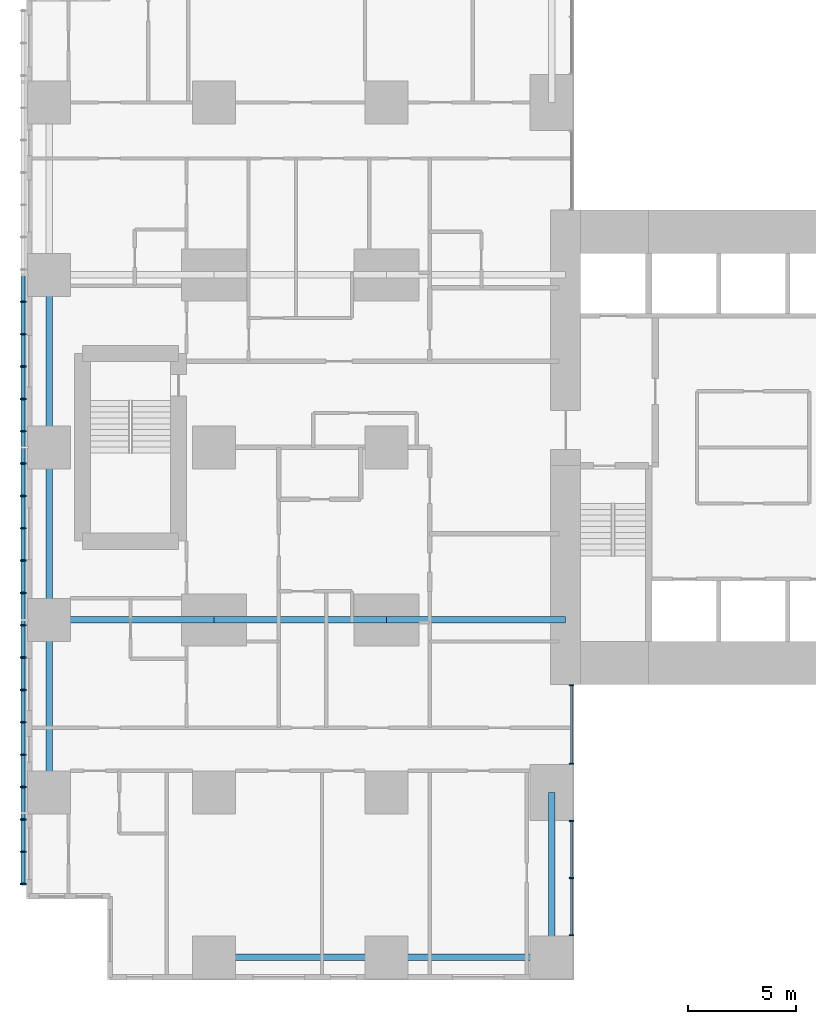
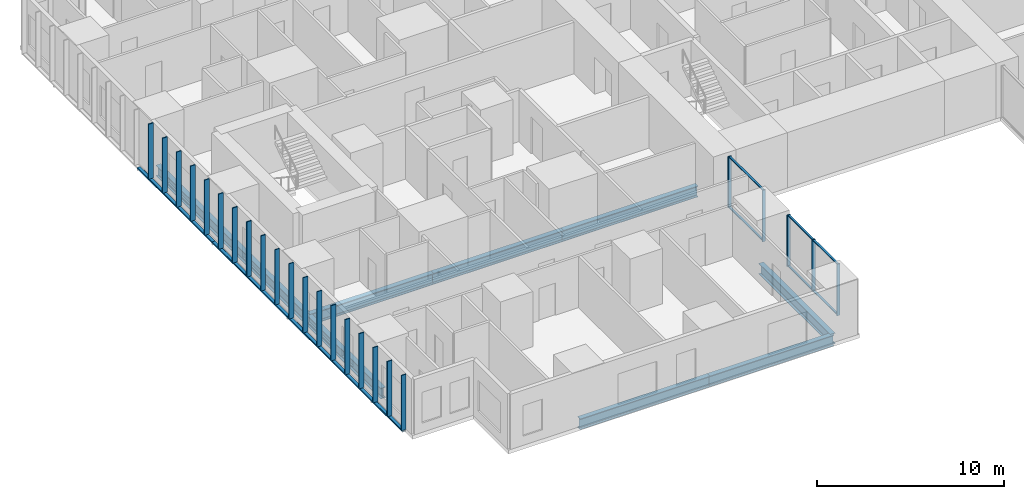
# One storey, part 2 of 20: 33 members, 9 beams, 2 elements without a shape of their own.
"""IFC4 building model written with IfcOpenShell, lengths in metres."""

from ifc_helpers import new_model, si_unit, direction, frame, origin, origin_2d, place, context, subcontext, project, spatial, rectangle, hollow_rectangle, i_section, extrude, material, layer, layer_set, material_profile, profile_set, type_object, element, aggregate, save


model = new_model("IFC4")

# Units and contexts
model_context = context("Model", 3, precision=1e-05, world=origin(), true_north=direction((0.0, 1.0)))
body_context = subcontext(model_context, "Body", "Model", "MODEL_VIEW")
ifc_project = project(units=[si_unit("LENGTHUNIT", "METRE"), si_unit("AREAUNIT", "SQUARE_METRE"), si_unit("VOLUMEUNIT", "CUBIC_METRE"), si_unit("PLANEANGLEUNIT", "RADIAN"), si_unit("MASSUNIT", "GRAM", prefix="KILO")], contexts=[model_context])

# Site, building, storey
site_placement = place(None, origin())
site = spatial("IfcSite", under=ifc_project, at=site_placement, CompositionType="ELEMENT")
building_placement = place(site_placement, origin())
building = spatial("IfcBuilding", under=site, at=building_placement, Name="Cleftline Residences", CompositionType="ELEMENT")
storey_placement = place(building_placement, frame((0.0, 0.0, 69.199951171875)))
storey = spatial("IfcBuildingStorey", under=building, at=storey_placement, Name="L17", CompositionType="ELEMENT", Elevation=69.199951171875)

# Members
ifc_material_1 = material(Name="Steel S355, hot-dip galvanised", Category="steel")
ifc_material_profile_1 = material_profile(ifc_material_1, hollow_rectangle(XDim=0.10009765625, YDim=0.199951171875, WallThickness=0.008056640625, InnerFilletRadius=0.008056640625, OuterFilletRadius=0.011962890625, at=origin_2d()))
ifc_profile_set_1 = profile_set([ifc_material_profile_1], Name="Steel S355, hot-dip galvanised")
member_type_1 = type_object("IfcMemberType", Name="BAGUETTE CARRIER RHS 200X100X8", PredefinedType="USERDEFINED", material=ifc_profile_set_1)
for number, where, z_axis, x_axis, name in (
    (1, (-0.85009765625, 32.0, -0.050048828125), (0.0, -1.0, 0.0), (0.0, 0.0, 1.0), "Baguette carrier"),
    (2, (-0.85009765625, 24.0, -0.050048828125), (0.0, -1.0, 0.0), (0.0, 0.0, 1.0), "Baguette carrier"),
):
    element("IfcMember", number, at=place(storey_placement, frame(where, z_axis=z_axis, x_axis=x_axis)), inside=storey, type_object=member_type_1, Name=name, ObjectType="BAGUETTE CARRIER", PredefinedType="USERDEFINED", context=body_context, shape_type="SweptSolid", body=[
        extrude(hollow_rectangle(XDim=0.10009765625, YDim=0.199951171875, WallThickness=0.008056640625, InnerFilletRadius=0.008056640625, OuterFilletRadius=0.011962890625, at=origin_2d()), origin(), (0.0, 0.0, 1.0), 8.0),
    ])
member_1_placement = place(storey_placement, frame((-0.85009765625, 16.0, -0.050048828125), z_axis=(0.0, -1.0, 0.0), x_axis=(0.0, 0.0, 1.0)))
element("IfcMember", 3, at=member_1_placement, inside=storey, type_object=member_type_1, Name="Baguette carrier", ObjectType="BAGUETTE CARRIER", PredefinedType="USERDEFINED", context=body_context, shape_type="SweptSolid", body=[
    extrude(hollow_rectangle(XDim=0.10009765625, YDim=0.199951171875, WallThickness=0.008056640625, InnerFilletRadius=0.008056640625, OuterFilletRadius=0.011962890625, at=origin_2d()), origin(), (0.0, 0.0, 1.0), 12.300048828125),
])

# Beams
ifc_material_2 = material(Name="Steel S355", Category="steel")
ifc_material_profile_2 = material_profile(ifc_material_2, i_section(OverallWidth=0.300048828125, OverallDepth=0.699951171875, WebThickness=0.01708984375, FlangeThickness=0.031982421875, FilletRadius=0.027099609375, at=origin_2d()))
ifc_profile_set_2 = profile_set([ifc_material_profile_2], Name="Steel S355")
beam_type_1 = type_object("IfcBeamType", Name="BEAM HEB 700", PredefinedType="BEAM", material=ifc_profile_set_2)
for number, where, z_axis, x_axis, name in (
    (4, (0.35009765625, 8.0, -0.599853515625), (0.0, 1.0, 0.0), (-1.0, 0.0, 0.0), "Edge beam"),
    (5, (0.35009765625, 16.0, -0.599853515625), (0.0, 1.0, 0.0), (-1.0, 0.0, 0.0), "Edge beam"),
    (6, (0.35009765625, 24.0, -0.599853515625), (0.0, 1.0, 0.0), (-1.0, 0.0, 0.0), "Edge beam"),
    (7, (8.0, 0.35009765625, -0.599853515625), (1.0, 0.0, 0.0), (0.0, 1.0, 0.0), "Edge beam"),
):
    element("IfcBeam", number, at=place(storey_placement, frame(where, z_axis=z_axis, x_axis=x_axis)), inside=storey, type_object=beam_type_1, Name=name, PredefinedType="BEAM", context=body_context, shape_type="SweptSolid", body=[
        extrude(i_section(OverallWidth=0.300048828125, OverallDepth=0.699951171875, WebThickness=0.01708984375, FlangeThickness=0.031982421875, FilletRadius=0.027099609375, at=origin_2d()), origin(), (0.0, 0.0, 1.0), 8.0),
    ])
for number, where, z_axis, x_axis, name in (
    (8, (16.0, 0.35009765625, -0.599853515625), (1.0, 0.0, 0.0), (0.0, 1.0, 0.0), "Edge beam"),
    (9, (23.64990234375, 0.35009765625, -0.599853515625), (0.0, 1.0, 0.0), (-1.0, 0.0, 0.0), "Edge beam"),
):
    element("IfcBeam", number, at=place(storey_placement, frame(where, z_axis=z_axis, x_axis=x_axis)), inside=storey, type_object=beam_type_1, Name=name, PredefinedType="BEAM", context=body_context, shape_type="SweptSolid", body=[
        extrude(i_section(OverallWidth=0.300048828125, OverallDepth=0.699951171875, WebThickness=0.01708984375, FlangeThickness=0.031982421875, FilletRadius=0.027099609375, at=origin_2d()), origin(), (0.0, 0.0, 1.0), 7.64990234375),
    ])
ifc_material_3 = material(Name="Steel S355", Category="steel")
ifc_material_profile_3 = material_profile(ifc_material_3, i_section(OverallWidth=0.303955078125, OverallDepth=0.716064453125, WebThickness=0.02099609375, FlangeThickness=0.0400390625, FilletRadius=0.027099609375, at=origin_2d()))
ifc_profile_set_3 = profile_set([ifc_material_profile_3], Name="Steel S355")
beam_type_2 = type_object("IfcBeamType", Name="BEAM HEM 700", PredefinedType="BEAM", material=ifc_profile_set_3)
beam_1_placement = place(storey_placement, frame((0.35009765625, 16.0, -0.60791015625), z_axis=(1.0, 0.0, 0.0), x_axis=(0.0, 1.0, 0.0)))
element("IfcBeam", 10, at=beam_1_placement, inside=storey, type_object=beam_type_2, Name="Band beam", PredefinedType="BEAM", context=body_context, shape_type="SweptSolid", body=[
    extrude(i_section(OverallWidth=0.303955078125, OverallDepth=0.716064453125, WebThickness=0.02099609375, FlangeThickness=0.0400390625, FilletRadius=0.027099609375, at=origin_2d()), origin(), (0.0, 0.0, 1.0), 7.64990234375),
])
beam_2_placement = place(storey_placement, frame((8.0, 16.0, -0.60791015625), z_axis=(1.0, 0.0, 0.0), x_axis=(0.0, 1.0, 0.0)))
element("IfcBeam", 11, at=beam_2_placement, inside=storey, type_object=beam_type_2, Name="Band beam", PredefinedType="BEAM", context=body_context, shape_type="SweptSolid", body=[
    extrude(i_section(OverallWidth=0.303955078125, OverallDepth=0.716064453125, WebThickness=0.02099609375, FlangeThickness=0.0400390625, FilletRadius=0.027099609375, at=origin_2d()), origin(), (0.0, 0.0, 1.0), 8.0),
])
beam_3_placement = place(storey_placement, frame((16.0, 16.0, -0.60791015625), z_axis=(1.0, 0.0, 0.0), x_axis=(0.0, 1.0, 0.0)))
element("IfcBeam", 12, at=beam_3_placement, inside=storey, type_object=beam_type_2, Name="Band beam", PredefinedType="BEAM", context=body_context, shape_type="SweptSolid", body=[
    extrude(i_section(OverallWidth=0.303955078125, OverallDepth=0.716064453125, WebThickness=0.02099609375, FlangeThickness=0.0400390625, FilletRadius=0.027099609375, at=origin_2d()), origin(), (0.0, 0.0, 1.0), 8.300048828125),
])

# Curtain wall, members
ifc_material_4 = material(Name="Aluminium framed curtain wall", Category="aluminium")
ifc_layer = layer(ifc_material_4, 0.199951171875)
ifc_layer_set = layer_set([ifc_layer], Name="CW1 CLEFT GLAZING")
curtain_wall_type = type_object("IfcCurtainWallType", Name="CW1 CLEFT GLAZING", PredefinedType="NOTDEFINED", material=ifc_layer_set)
curtain_wall_1_placement = place(storey_placement, origin())
curtain_wall_1 = element("IfcCurtainWall", 13, at=curtain_wall_1_placement, inside=storey, type_object=curtain_wall_type, Name="Curtain wall CW1", PredefinedType="NOTDEFINED")
ifc_material_5 = material(Name="Aluminium mullion", Category="aluminium")
ifc_material_profile_4 = material_profile(ifc_material_5, rectangle(XDim=0.199951171875, YDim=0.06005859375, at=origin_2d()))
ifc_profile_set_4 = profile_set([ifc_material_profile_4], Name="Aluminium mullion")
member_type_2 = type_object("IfcMemberType", Name="CW1 MULLION", PredefinedType="MULLION", material=ifc_profile_set_4)
member_2_placement = place(storey_placement, frame((24.574951171875, 1.3798828125, 0.0), z_axis=(0.0, 0.0, 1.0), x_axis=(-1.0, 0.0, 0.0)))
member_2 = element("IfcMember", 14, at=member_2_placement, type_object=member_type_2, Name="CW1 mullion 1", PredefinedType="MULLION", context=body_context, shape_type="SweptSolid", body=[
    extrude(rectangle(XDim=0.199951171875, YDim=0.06005859375, at=origin_2d()), origin(), (0.0, 0.0, 1.0), 3.35009765625),
])
member_3_placement = place(storey_placement, frame((24.574951171875, 4.02490234375, 0.0), z_axis=(0.0, 0.0, 1.0), x_axis=(-1.0, 0.0, 0.0)))
member_3 = element("IfcMember", 15, at=member_3_placement, type_object=member_type_2, Name="CW1 mullion 2", PredefinedType="MULLION", context=body_context, shape_type="SweptSolid", body=[
    extrude(rectangle(XDim=0.199951171875, YDim=0.06005859375, at=origin_2d()), origin(), (0.0, 0.0, 1.0), 3.35009765625),
])
member_4_placement = place(storey_placement, frame((24.574951171875, 6.669921875, 0.0), z_axis=(0.0, 0.0, 1.0), x_axis=(-1.0, 0.0, 0.0)))
member_4 = element("IfcMember", 16, at=member_4_placement, type_object=member_type_2, Name="CW1 mullion 3", PredefinedType="MULLION", context=body_context, shape_type="SweptSolid", body=[
    extrude(rectangle(XDim=0.199951171875, YDim=0.06005859375, at=origin_2d()), origin(), (0.0, 0.0, 1.0), 3.35009765625),
])

curtain_wall_2_placement = place(storey_placement, origin())
curtain_wall_2 = element("IfcCurtainWall", 17, at=curtain_wall_2_placement, inside=storey, type_object=curtain_wall_type, Name="Curtain wall CW1", PredefinedType="NOTDEFINED")
member_5_placement = place(storey_placement, frame((24.574951171875, 9.330078125, 0.0), z_axis=(0.0, 0.0, 1.0), x_axis=(-1.0, 0.0, 0.0)))
member_5 = element("IfcMember", 18, at=member_5_placement, type_object=member_type_2, Name="CW1 mullion 1", PredefinedType="MULLION", context=body_context, shape_type="SweptSolid", body=[
    extrude(rectangle(XDim=0.199951171875, YDim=0.06005859375, at=origin_2d()), origin(), (0.0, 0.0, 1.0), 3.35009765625),
])
member_6_placement = place(storey_placement, frame((24.574951171875, 12.969970703125, 0.0), z_axis=(0.0, 0.0, 1.0), x_axis=(-1.0, 0.0, 0.0)))
member_6 = element("IfcMember", 19, at=member_6_placement, type_object=member_type_2, Name="CW1 mullion 2", PredefinedType="MULLION", context=body_context, shape_type="SweptSolid", body=[
    extrude(rectangle(XDim=0.199951171875, YDim=0.06005859375, at=origin_2d()), origin(), (0.0, 0.0, 1.0), 3.35009765625),
])

# Member
ifc_material_6 = material(Name="Aluminium transom", Category="aluminium")
ifc_material_profile_5 = material_profile(ifc_material_6, rectangle(XDim=0.1201171875, YDim=0.06005859375, at=origin_2d()))
ifc_profile_set_5 = profile_set([ifc_material_profile_5], Name="Aluminium transom")
member_type_3 = type_object("IfcMemberType", Name="CW1 TRANSOM", PredefinedType="USERDEFINED", material=ifc_profile_set_5)
member_7_placement = place(storey_placement, frame((24.574951171875, 1.409912109375, 0.030029296875), z_axis=(0.0, 1.0, 0.0), x_axis=(-1.0, 0.0, 0.0)))
member_7 = element("IfcMember", 20, at=member_7_placement, type_object=member_type_3, Name="CW1 transom 1.1", ObjectType="TRANSOM", PredefinedType="USERDEFINED", context=body_context, shape_type="SweptSolid", body=[
    extrude(rectangle(XDim=0.1201171875, YDim=0.06005859375, at=origin_2d()), origin(), (0.0, 0.0, 1.0), 2.585205078125),
])

member_8_placement = place(storey_placement, frame((24.574951171875, 1.409912109375, 3.320068359375), z_axis=(0.0, 1.0, 0.0), x_axis=(-1.0, 0.0, 0.0)))
member_8 = element("IfcMember", 21, at=member_8_placement, type_object=member_type_3, Name="CW1 transom 1.2", ObjectType="TRANSOM", PredefinedType="USERDEFINED", context=body_context, shape_type="SweptSolid", body=[
    extrude(rectangle(XDim=0.1201171875, YDim=0.06005859375, at=origin_2d()), origin(), (0.0, 0.0, 1.0), 2.585205078125),
])

member_9_placement = place(storey_placement, frame((24.574951171875, 4.054931640625, 0.030029296875), z_axis=(0.0, 1.0, 0.0), x_axis=(-1.0, 0.0, 0.0)))
member_9 = element("IfcMember", 22, at=member_9_placement, type_object=member_type_3, Name="CW1 transom 2.1", ObjectType="TRANSOM", PredefinedType="USERDEFINED", context=body_context, shape_type="SweptSolid", body=[
    extrude(rectangle(XDim=0.1201171875, YDim=0.06005859375, at=origin_2d()), origin(), (0.0, 0.0, 1.0), 2.5849609375),
])

member_10_placement = place(storey_placement, frame((24.574951171875, 4.054931640625, 3.320068359375), z_axis=(0.0, 1.0, 0.0), x_axis=(-1.0, 0.0, 0.0)))
member_10 = element("IfcMember", 23, at=member_10_placement, type_object=member_type_3, Name="CW1 transom 2.2", ObjectType="TRANSOM", PredefinedType="USERDEFINED", context=body_context, shape_type="SweptSolid", body=[
    extrude(rectangle(XDim=0.1201171875, YDim=0.06005859375, at=origin_2d()), origin(), (0.0, 0.0, 1.0), 2.5849609375),
])

aggregate(curtain_wall_1, [member_2, member_3, member_4, member_7, member_8, member_9, member_10])

member_11_placement = place(storey_placement, frame((24.574951171875, 9.360107421875, 0.030029296875), z_axis=(0.0, 1.0, 0.0), x_axis=(-1.0, 0.0, 0.0)))
member_11 = element("IfcMember", 24, at=member_11_placement, type_object=member_type_3, Name="CW1 transom 1.1", ObjectType="TRANSOM", PredefinedType="USERDEFINED", context=body_context, shape_type="SweptSolid", body=[
    extrude(rectangle(XDim=0.1201171875, YDim=0.06005859375, at=origin_2d()), origin(), (0.0, 0.0, 1.0), 3.579833984375),
])

member_12_placement = place(storey_placement, frame((24.574951171875, 9.360107421875, 3.320068359375), z_axis=(0.0, 1.0, 0.0), x_axis=(-1.0, 0.0, 0.0)))
member_12 = element("IfcMember", 25, at=member_12_placement, type_object=member_type_3, Name="CW1 transom 1.2", ObjectType="TRANSOM", PredefinedType="USERDEFINED", context=body_context, shape_type="SweptSolid", body=[
    extrude(rectangle(XDim=0.1201171875, YDim=0.06005859375, at=origin_2d()), origin(), (0.0, 0.0, 1.0), 3.579833984375),
])

aggregate(curtain_wall_2, [member_5, member_6, member_11, member_12])

# Members
ifc_material_7 = material(Name="Extruded terracotta", Category="masonry")
ifc_material_profile_6 = material_profile(ifc_material_7, rectangle(XDim=0.06005859375, YDim=0.300048828125, at=origin_2d()))
ifc_profile_set_6 = profile_set([ifc_material_profile_6], Name="Extruded terracotta")
member_type_4 = type_object("IfcMemberType", Name="TERRACOTTA BAGUETTE 60X300", PredefinedType="USERDEFINED", material=ifc_profile_set_6)
for number, where, z_axis, x_axis, name in (
    (26, (-0.85009765625, 30.75, 0.0), (0.0, 0.0, 1.0), (0.0, 1.0, 0.0), "Terracotta baguette"),
    (27, (-0.85009765625, 29.25, 0.0), (0.0, 0.0, 1.0), (0.0, 1.0, 0.0), "Terracotta baguette"),
    (28, (-0.85009765625, 27.75, 0.0), (0.0, 0.0, 1.0), (0.0, 1.0, 0.0), "Terracotta baguette"),
    (29, (-0.85009765625, 26.25, 0.0), (0.0, 0.0, 1.0), (0.0, 1.0, 0.0), "Terracotta baguette"),
    (30, (-0.85009765625, 24.75, 0.0), (0.0, 0.0, 1.0), (0.0, 1.0, 0.0), "Terracotta baguette"),
    (31, (-0.85009765625, 23.25, 0.0), (0.0, 0.0, 1.0), (0.0, 1.0, 0.0), "Terracotta baguette"),
    (32, (-0.85009765625, 21.75, 0.0), (0.0, 0.0, 1.0), (0.0, 1.0, 0.0), "Terracotta baguette"),
    (33, (-0.85009765625, 20.25, 0.0), (0.0, 0.0, 1.0), (0.0, 1.0, 0.0), "Terracotta baguette"),
    (34, (-0.85009765625, 18.75, 0.0), (0.0, 0.0, 1.0), (0.0, 1.0, 0.0), "Terracotta baguette"),
    (35, (-0.85009765625, 17.25, 0.0), (0.0, 0.0, 1.0), (0.0, 1.0, 0.0), "Terracotta baguette"),
    (36, (-0.85009765625, 15.75, 0.0), (0.0, 0.0, 1.0), (0.0, 1.0, 0.0), "Terracotta baguette"),
    (37, (-0.85009765625, 14.25, 0.0), (0.0, 0.0, 1.0), (0.0, 1.0, 0.0), "Terracotta baguette"),
    (38, (-0.85009765625, 12.75, 0.0), (0.0, 0.0, 1.0), (0.0, 1.0, 0.0), "Terracotta baguette"),
    (39, (-0.85009765625, 11.25, 0.0), (0.0, 0.0, 1.0), (0.0, 1.0, 0.0), "Terracotta baguette"),
    (40, (-0.85009765625, 9.75, 0.0), (0.0, 0.0, 1.0), (0.0, 1.0, 0.0), "Terracotta baguette"),
    (41, (-0.85009765625, 8.25, 0.0), (0.0, 0.0, 1.0), (0.0, 1.0, 0.0), "Terracotta baguette"),
    (42, (-0.85009765625, 6.75, 0.0), (0.0, 0.0, 1.0), (0.0, 1.0, 0.0), "Terracotta baguette"),
    (43, (-0.85009765625, 5.25, 0.0), (0.0, 0.0, 1.0), (0.0, 1.0, 0.0), "Terracotta baguette"),
    (44, (-0.85009765625, 3.75, 0.0), (0.0, 0.0, 1.0), (0.0, 1.0, 0.0), "Terracotta baguette"),
):
    element("IfcMember", number, at=place(storey_placement, frame(where, z_axis=z_axis, x_axis=x_axis)), inside=storey, type_object=member_type_4, Name=name, ObjectType="BAGUETTE", PredefinedType="USERDEFINED", context=body_context, shape_type="SweptSolid", body=[
        extrude(rectangle(XDim=0.06005859375, YDim=0.300048828125, at=origin_2d()), origin(), (0.0, 0.0, 1.0), 3.60009765625),
    ])

save(model, "model.ifc")
